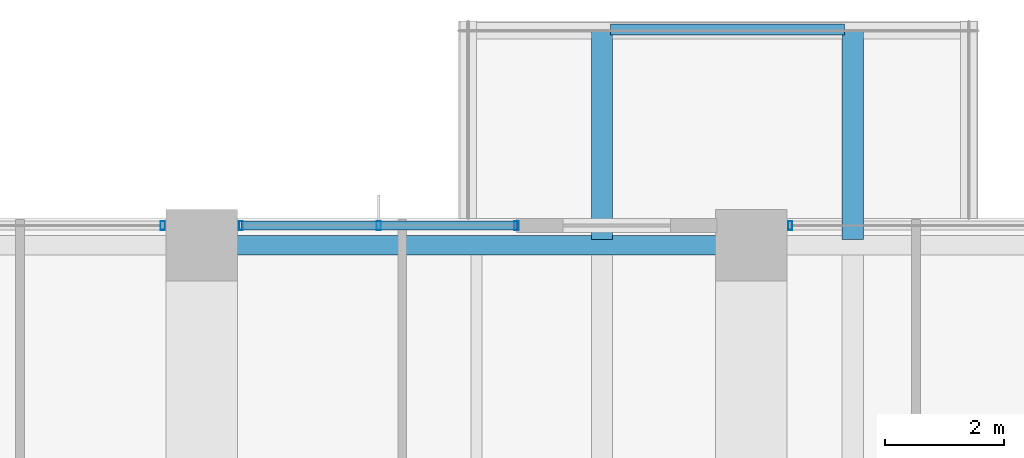
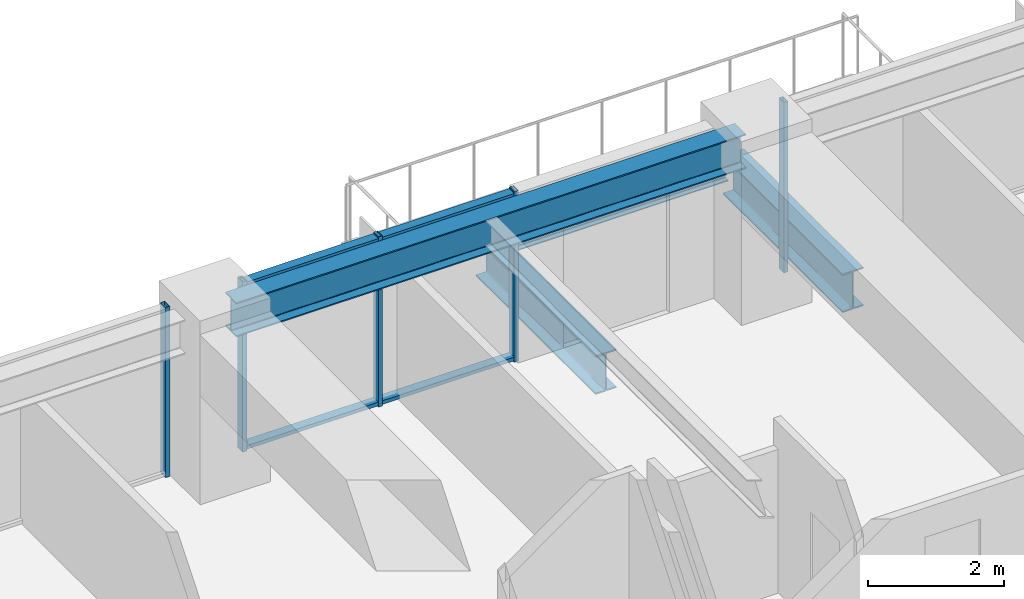
# One storey, part 23 of 39: 7 members, 4 beams, 3 elements without a shape of their own.
"""IFC4 building model written with IfcOpenShell, lengths in metres."""

from ifc_helpers import new_model, si_unit, direction, frame, origin, origin_2d, place, context, subcontext, project, spatial, hollow_rectangle, i_section, extrude, material, material_profile, profile_set, type_object, element, aggregate, save


model = new_model("IFC4")

# Units and contexts
model_context = context("Model", 3, precision=1e-05, world=origin(), true_north=direction((0.0, 1.0)))
body_context = subcontext(model_context, "Body", "Model", "MODEL_VIEW")
ifc_project = project(units=[si_unit("LENGTHUNIT", "METRE"), si_unit("AREAUNIT", "SQUARE_METRE"), si_unit("VOLUMEUNIT", "CUBIC_METRE"), si_unit("PLANEANGLEUNIT", "RADIAN"), si_unit("MASSUNIT", "GRAM", prefix="KILO")], contexts=[model_context])

# Site, building, storey
site_placement = place(None, origin())
site = spatial("IfcSite", under=ifc_project, at=site_placement, CompositionType="ELEMENT")
building_placement = place(site_placement, origin())
building = spatial("IfcBuilding", under=site, at=building_placement, Name="Kolvaren Belvedere", CompositionType="ELEMENT")
storey_placement = place(building_placement, frame((0.0, 0.0, 33.699951171875)))
storey = spatial("IfcBuildingStorey", under=building, at=storey_placement, Name="L09", CompositionType="ELEMENT", Elevation=33.699951171875)

# Beams
ifc_material_1 = material(Name="Structural steel ASTM A992 Grade 50", Category="steel")
ifc_material_profile_1 = material_profile(ifc_material_1, i_section(OverallWidth=0.35498046875, OverallDepth=0.696044921875, WebThickness=0.015380859375, FlangeThickness=0.02490234375, FilletRadius=0.02197265625, at=origin_2d()), Name="W27X146")
ifc_profile_set_1 = profile_set([ifc_material_profile_1], Name="Structural steel ASTM A992 Grade 50")
beam_type_1 = type_object("IfcBeamType", Name="BM-CANT-BAL", PredefinedType="BEAM", material=ifc_profile_set_1)
for number, where, z_axis, x_axis, name in (
    (1, (2.10009765625, 21.64501953125, -0.587890625), (0.0, 1.0, 0.0), (-1.0, 0.0, 0.0), "L09 Planted Balcony Cantilever SPIRAL-01-N-1"),
    (2, (6.300048828125, 21.64501953125, -0.587890625), (0.0, 1.0, 0.0), (-1.0, 0.0, 0.0), "L09 Planted Balcony Cantilever SPIRAL-01-N-2"),
):
    element("IfcBeam", number, at=place(storey_placement, frame(where, z_axis=z_axis, x_axis=x_axis)), inside=storey, type_object=beam_type_1, Name=name, PredefinedType="BEAM", context=body_context, shape_type="SweptSolid", body=[
        extrude(i_section(OverallWidth=0.35498046875, OverallDepth=0.696044921875, WebThickness=0.015380859375, FlangeThickness=0.02490234375, FilletRadius=0.02197265625, at=origin_2d()), origin(), (0.0, 0.0, 1.0), 3.514892578125),
    ])
ifc_material_2 = material(Name="Structural steel ASTM A992 Grade 50", Category="steel")
ifc_material_profile_2 = material_profile(ifc_material_2, i_section(OverallWidth=0.180908203125, OverallDepth=0.4169921875, WebThickness=0.010986328125, FlangeThickness=0.018310546875, FilletRadius=0.013916015625, at=origin_2d()), Name="W16X57")
ifc_profile_set_2 = profile_set([ifc_material_profile_2], Name="Structural steel ASTM A992 Grade 50")
beam_type_2 = type_object("IfcBeamType", Name="BM-EDGE-W16X57", PredefinedType="BEAM", material=ifc_profile_set_2)
beam_1_placement = place(storey_placement, frame((2.239990234375, 25.159912109375, -0.448486328125), z_axis=(1.0, 0.0, 0.0), x_axis=(0.0, 1.0, 0.0)))
element("IfcBeam", 3, at=beam_1_placement, inside=storey, type_object=beam_type_2, Name="L09 Balcony Tip Header Beam SPIRAL-01-N", PredefinedType="BEAM", context=body_context, shape_type="SweptSolid", body=[
    extrude(i_section(OverallWidth=0.180908203125, OverallDepth=0.4169921875, WebThickness=0.010986328125, FlangeThickness=0.018310546875, FilletRadius=0.013916015625, at=origin_2d()), origin(), (0.0, 0.0, 1.0), 3.919921875),
])
ifc_material_3 = material(Name="Structural steel ASTM A992 Grade 50", Category="steel")
ifc_material_profile_3 = material_profile(ifc_material_3, i_section(OverallWidth=0.324951171875, OverallDepth=0.615966796875, WebThickness=0.013916015625, FlangeThickness=0.021484375, FilletRadius=0.02001953125, at=origin_2d()), Name="W24X117")
ifc_profile_set_3 = profile_set([ifc_material_profile_3], Name="Structural steel ASTM A992 Grade 50")
beam_type_3 = type_object("IfcBeamType", Name="BM-SPAN-W24X117", PredefinedType="SPANDREL", material=ifc_profile_set_3)
beam_2_placement = place(storey_placement, frame((4.330078125, 21.550048828125, 2.751953125), z_axis=(-1.0, 0.0, 0.0), x_axis=(0.0, -1.0, 0.0)))
element("IfcBeam", 4, at=beam_2_placement, inside=storey, type_object=beam_type_3, Name="L09 Perimeter Spandrel N3-N2", PredefinedType="SPANDREL", context=body_context, shape_type="SweptSolid", body=[
    extrude(i_section(OverallWidth=0.324951171875, OverallDepth=0.615966796875, WebThickness=0.013916015625, FlangeThickness=0.021484375, FilletRadius=0.02001953125, at=origin_2d()), origin(), (0.0, 0.0, 1.0), 8.66015625),
])

# Curtain wall, member
ifc_material_4 = material(Name="Anodised pale-metal aluminium AA 6063-T6", Category="aluminium")
curtain_wall_type = type_object("IfcCurtainWallType", Name="CW-Z1-LOW", PredefinedType="NOTDEFINED", material=ifc_material_4)
curtain_wall_1_placement = place(storey_placement, origin())
curtain_wall_1 = element("IfcCurtainWall", 5, at=curtain_wall_1_placement, inside=storey, type_object=curtain_wall_type, Name="L09 Unitised Curtain Wall FCW-L09-N1-B1", PredefinedType="NOTDEFINED")
ifc_material_5 = material(Name="Anodised pale-metal aluminium AA 6063-T6", Category="aluminium")
ifc_material_profile_4 = material_profile(ifc_material_5, hollow_rectangle(XDim=0.070068359375, YDim=0.14990234375, WallThickness=0.004150390625, at=origin_2d()), Name="ALU-MUL-150X70")
ifc_profile_set_4 = profile_set([ifc_material_profile_4], Name="Anodised pale-metal aluminium AA 6063-T6")
member_type_1 = type_object("IfcMemberType", Name="CW-MUL-150", PredefinedType="MULLION", material=ifc_profile_set_4)
member_1_placement = place(storey_placement, frame((-5.2548828125, 21.8798828125, 0.0), z_axis=(0.0, 0.0, 1.0), x_axis=(1.0, 0.0, 0.0)))
member_1 = element("IfcMember", 6, at=member_1_placement, type_object=member_type_1, Name="FCW-L09-N1-B1 Unitised Mullion 3", PredefinedType="MULLION", context=body_context, shape_type="SweptSolid", body=[
    extrude(hollow_rectangle(XDim=0.070068359375, YDim=0.14990234375, WallThickness=0.004150390625, at=origin_2d()), origin(), (0.0, 0.0, 1.0), 3.06005859375),
])
aggregate(curtain_wall_1, [member_1])

# Curtain wall, members
curtain_wall_2_placement = place(storey_placement, origin())
curtain_wall_2 = element("IfcCurtainWall", 7, at=curtain_wall_2_placement, inside=storey, type_object=curtain_wall_type, Name="L09 Unitised Curtain Wall FCW-L09-N1-B2", PredefinedType="NOTDEFINED")
member_2_placement = place(storey_placement, frame((-3.945068359375, 21.8798828125, 0.0), z_axis=(0.0, 0.0, 1.0), x_axis=(1.0, 0.0, 0.0)))
member_2 = element("IfcMember", 8, at=member_2_placement, type_object=member_type_1, Name="FCW-L09-N1-B2 Unitised Mullion 1", PredefinedType="MULLION", context=body_context, shape_type="SweptSolid", body=[
    extrude(hollow_rectangle(XDim=0.070068359375, YDim=0.14990234375, WallThickness=0.004150390625, at=origin_2d()), origin(), (0.0, 0.0, 1.0), 3.06005859375),
])
member_3_placement = place(storey_placement, frame((-1.637451171875, 21.8798828125, 0.0), z_axis=(0.0, 0.0, 1.0), x_axis=(1.0, 0.0, 0.0)))
member_3 = element("IfcMember", 9, at=member_3_placement, type_object=member_type_1, Name="FCW-L09-N1-B2 Unitised Mullion 2", PredefinedType="MULLION", context=body_context, shape_type="SweptSolid", body=[
    extrude(hollow_rectangle(XDim=0.070068359375, YDim=0.14990234375, WallThickness=0.004150390625, at=origin_2d()), origin(), (0.0, 0.0, 1.0), 3.06005859375),
])
member_4_placement = place(storey_placement, frame((0.669921875, 21.8798828125, 0.0), z_axis=(0.0, 0.0, 1.0), x_axis=(1.0, 0.0, 0.0)))
member_4 = element("IfcMember", 10, at=member_4_placement, type_object=member_type_1, Name="FCW-L09-N1-B2 Unitised Mullion 3", PredefinedType="MULLION", context=body_context, shape_type="SweptSolid", body=[
    extrude(hollow_rectangle(XDim=0.070068359375, YDim=0.14990234375, WallThickness=0.004150390625, at=origin_2d()), origin(), (0.0, 0.0, 1.0), 3.06005859375),
])

# Curtain wall, member
curtain_wall_3_placement = place(storey_placement, origin())
curtain_wall_3 = element("IfcCurtainWall", 11, at=curtain_wall_3_placement, inside=storey, type_object=curtain_wall_type, Name="L09 Unitised Curtain Wall FCW-L09-N2", PredefinedType="NOTDEFINED")
member_5_placement = place(storey_placement, frame((5.2548828125, 21.8798828125, 0.0), z_axis=(0.0, 0.0, 1.0), x_axis=(1.0, 0.0, 0.0)))
member_5 = element("IfcMember", 12, at=member_5_placement, type_object=member_type_1, Name="FCW-L09-N2 Unitised Mullion 1", PredefinedType="MULLION", context=body_context, shape_type="SweptSolid", body=[
    extrude(hollow_rectangle(XDim=0.070068359375, YDim=0.14990234375, WallThickness=0.004150390625, at=origin_2d()), origin(), (0.0, 0.0, 1.0), 3.06005859375),
])
aggregate(curtain_wall_3, [member_5])

# Member
ifc_material_6 = material(Name="Anodised pale-metal aluminium AA 6063-T6", Category="aluminium")
ifc_material_profile_5 = material_profile(ifc_material_6, hollow_rectangle(XDim=0.06494140625, YDim=0.14990234375, WallThickness=0.00390625, at=origin_2d()), Name="ALU-TRN-150X65")
ifc_profile_set_5 = profile_set([ifc_material_profile_5], Name="Anodised pale-metal aluminium AA 6063-T6")
member_type_2 = type_object("IfcMemberType", Name="CW-TRN-150", PredefinedType="USERDEFINED", material=ifc_profile_set_5)
member_6_placement = place(storey_placement, frame((-3.945068359375, 21.8798828125, 0.06005859375), z_axis=(1.0, 0.0, 0.0), x_axis=(0.0, 0.0, 1.0)))
member_6 = element("IfcMember", 13, at=member_6_placement, type_object=member_type_2, Name="FCW-L09-N1-B2 Sill Transom", ObjectType="TRANSOM", PredefinedType="USERDEFINED", context=body_context, shape_type="SweptSolid", body=[
    extrude(hollow_rectangle(XDim=0.06494140625, YDim=0.14990234375, WallThickness=0.00390625, at=origin_2d()), origin(), (0.0, 0.0, 1.0), 4.614990234375),
])

member_7_placement = place(storey_placement, frame((-3.945068359375, 21.8798828125, 3.0), z_axis=(1.0, 0.0, 0.0), x_axis=(0.0, 0.0, 1.0)))
member_7 = element("IfcMember", 14, at=member_7_placement, type_object=member_type_2, Name="FCW-L09-N1-B2 Head Transom", ObjectType="TRANSOM", PredefinedType="USERDEFINED", context=body_context, shape_type="SweptSolid", body=[
    extrude(hollow_rectangle(XDim=0.06494140625, YDim=0.14990234375, WallThickness=0.00390625, at=origin_2d()), origin(), (0.0, 0.0, 1.0), 4.614990234375),
])

aggregate(curtain_wall_2, [member_2, member_3, member_4, member_6, member_7])

save(model, "model.ifc")
